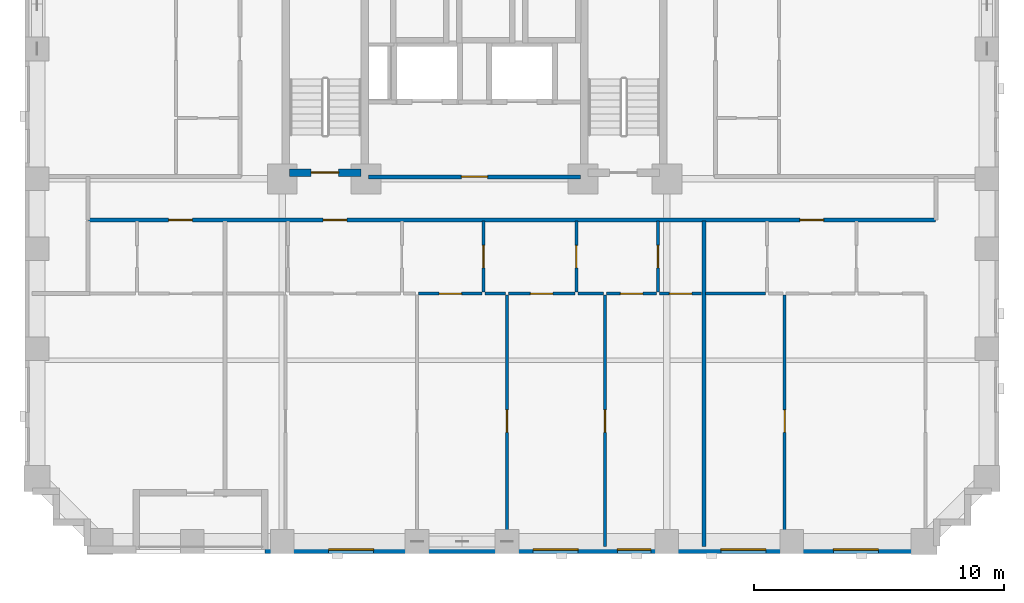
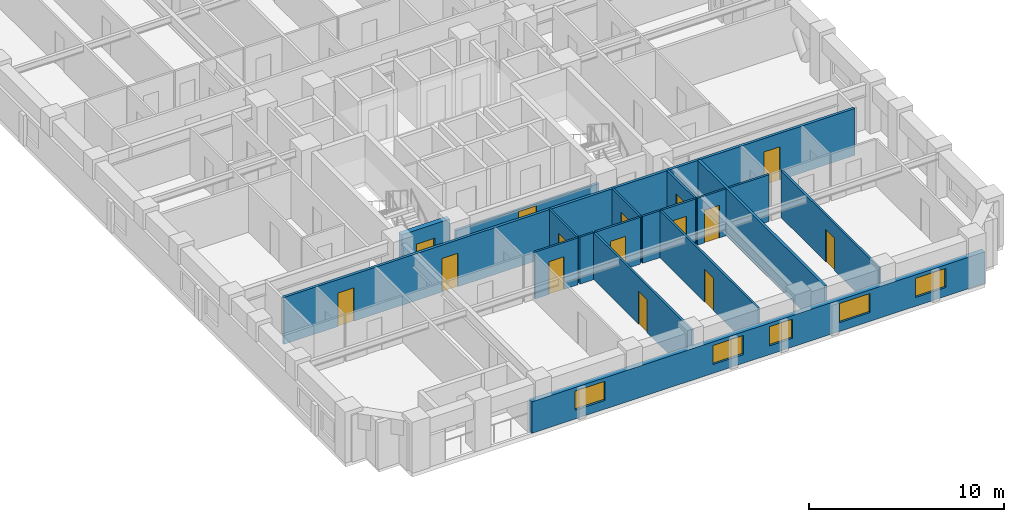
# One storey, part 3 of 13: 18 walls, 15 doors, 5 windows, 20 openings.
"""IFC4 building model written with IfcOpenShell, lengths in metres."""

from ifc_helpers import new_model, si_unit, derived_unit, direction, frame, frame_2d, origin, place, context, subcontext, project, spatial, rectangle, extrude, material, layer, layer_set, type_object, element, fill, save


model = new_model("IFC4")

# Units and contexts
model_context = context("Model", 3, precision=1e-05, world=origin(), true_north=direction((0.0, 1.0)))
body_context = subcontext(model_context, "Body", "Model", "MODEL_VIEW")
ifc_project = project(units=[si_unit("LENGTHUNIT", "METRE"), si_unit("AREAUNIT", "SQUARE_METRE"), si_unit("VOLUMEUNIT", "CUBIC_METRE"), si_unit("PLANEANGLEUNIT", "RADIAN"), si_unit("MASSUNIT", "GRAM", prefix="KILO"), derived_unit("THERMALTRANSMITTANCEUNIT", [(si_unit("MASSUNIT", "GRAM", prefix="KILO"), 1), (si_unit("TIMEUNIT", "SECOND"), -3), (si_unit("THERMODYNAMICTEMPERATUREUNIT", "KELVIN"), -1)])], contexts=[model_context])

# Site, building, storey
site_placement = place(None, origin())
site = spatial("IfcSite", under=ifc_project, at=site_placement, CompositionType="ELEMENT")
building_placement = place(site_placement, origin())
building = spatial("IfcBuilding", under=site, at=building_placement, Name="Korrvale Station Residences", CompositionType="ELEMENT")
storey_placement = place(building_placement, frame((0.0, 0.0, 32.199951171875)))
storey = spatial("IfcBuildingStorey", under=building, at=storey_placement, Name="L07", CompositionType="ELEMENT", Elevation=32.199951171875)

# Wall, opening, door
ifc_material_1 = material(Name="Concrete C70/85", Category="concrete")
ifc_layer_1 = layer(ifc_material_1, 0.300048828125, Name="Concrete C70/85")
ifc_layer_set_1 = layer_set([ifc_layer_1], Name="Concrete C70/85")
wall_type_1 = type_object("IfcWallType", Name="WAL-CORE-300-C70", PredefinedType="SHEAR", material=ifc_layer_set_1)
wall_1_placement = place(storey_placement, frame((18.10009765625, 15.25, 0.0), z_axis=(0.0, 0.0, 1.0), x_axis=(1.0, 0.0, 0.0)))
wall_1 = element("IfcWall", 1, at=wall_1_placement, inside=storey, type_object=wall_type_1, Name="L07 ST-1 Core Shear Wall South", PredefinedType="SHEAR", context=body_context, shape_type="SweptSolid", body=[
    extrude(rectangle(XDim=2.849853515625, YDim=0.300048828125, at=frame_2d((1.4248046875, 0.0))), origin(), (0.0, 0.0, 1.0), 2.93994140625),
])
opening_1_placement = place(wall_1_placement, frame((0.860107421875, 0.0, 0.0)))
opening_1 = element("IfcOpeningElement", 2, at=opening_1_placement, cuts=wall_1, Name="Opening SD-1100", PredefinedType="OPENING", context=body_context, shape_type="SweptSolid", body=[
    extrude(rectangle(XDim=1.10009765625, YDim=2.050048828125, at=frame_2d((0.550048828125, 1.02490234375))), frame((0.0, 0.16015625, 0.0), z_axis=(0.0, -1.0, 0.0), x_axis=(1.0, 0.0, 0.0)), (0.0, 0.0, 1.0), 0.320068359375),
])
ifc_material_2 = material(Name="Hollow-metal fire-rated stair door with closer", Category="steel")
door_type_1 = type_object("IfcDoorType", Name="DR-STAIR-1100", OperationType="NOTDEFINED", PredefinedType="DOOR", material=ifc_material_2)
door_1_placement = place(opening_1_placement, origin())
door_1 = element("IfcDoor", 3, at=door_1_placement, inside=storey, type_object=door_type_1, Name="L07 ST-1 Exit Stair Door", OperationType="SINGLE_SWING_LEFT", OverallHeight=2.050048828125, OverallWidth=1.10009765625, PredefinedType="DOOR", context=body_context, shape_type="SweptSolid", body=[
    extrude(rectangle(XDim=1.10009765625, YDim=2.050048828125, at=frame_2d((0.550048828125, 1.02490234375))), frame((0.0, 0.02490234375, 0.0), z_axis=(0.0, -1.0, 0.0), x_axis=(1.0, 0.0, 0.0)), (0.0, 0.0, 1.0), 0.050048828125),
])
fill(opening_1, door_1)

# Wall, openings, windows
ifc_material_3 = material(Name="Precast concrete C45/55", Category="concrete")
ifc_layer_2 = layer(ifc_material_3, 0.300048828125, Name="Precast concrete C45/55")
ifc_layer_set_2 = layer_set([ifc_layer_2], Name="Precast concrete C45/55")
wall_type_2 = type_object("IfcWallType", Name="WAL-EXT-PC300", PredefinedType="SOLIDWALL", material=ifc_layer_set_2)
wall_2_placement = place(storey_placement, frame((44.0, 0.14990234375, 0.0), z_axis=(0.0, 0.0, 1.0), x_axis=(-1.0, 0.0, 0.0)))
wall_2 = element("IfcWall", 4, at=wall_2_placement, inside=storey, type_object=wall_type_2, Name="L07 South Exterior Precast Wall 1", PredefinedType="SOLIDWALL", context=body_context, shape_type="SweptSolid", body=[
    extrude(rectangle(XDim=26.89990234375, YDim=0.300048828125, at=frame_2d((13.449951171875, 0.0))), origin(), (0.0, 0.0, 1.0), 1.97509765625),
])
opening_2_placement = place(wall_2_placement, frame((22.5439453125, 0.0, 0.550048828125)))
opening_2 = element("IfcOpeningElement", 5, at=opening_2_placement, cuts=wall_2, Name="Opening W-09", PredefinedType="OPENING", context=body_context, shape_type="SweptSolid", body=[
    extrude(rectangle(XDim=1.800048828125, YDim=1.199951171875, at=frame_2d((0.89990234375, 0.60009765625))), frame((0.0, 0.16015625, 0.0), z_axis=(0.0, -1.0, 0.0), x_axis=(1.0, 0.0, 0.0)), (0.0, 0.0, 1.0), 0.320068359375),
])
opening_3_placement = place(wall_2_placement, frame((14.35302734375, 0.0, 0.550048828125)))
opening_3 = element("IfcOpeningElement", 6, at=opening_3_placement, cuts=wall_2, Name="Opening W-09", PredefinedType="OPENING", context=body_context, shape_type="SweptSolid", body=[
    extrude(rectangle(XDim=1.800048828125, YDim=1.199951171875, at=frame_2d((0.89990234375, 0.60009765625))), frame((0.0, 0.16015625, 0.0), z_axis=(0.0, -1.0, 0.0), x_axis=(1.0, 0.0, 0.0)), (0.0, 0.0, 1.0), 0.320068359375),
])
opening_4_placement = place(wall_2_placement, frame((11.43505859375, 0.0, 0.550048828125)))
opening_4 = element("IfcOpeningElement", 7, at=opening_4_placement, cuts=wall_2, Name="Opening W-10", PredefinedType="OPENING", context=body_context, shape_type="SweptSolid", body=[
    extrude(rectangle(XDim=1.35009765625, YDim=1.199951171875, at=frame_2d((0.675048828125, 0.60009765625))), frame((0.0, 0.16015625, 0.0), z_axis=(0.0, -1.0, 0.0), x_axis=(1.0, 0.0, 0.0)), (0.0, 0.0, 1.0), 0.320068359375),
])
opening_5_placement = place(wall_2_placement, frame((6.839111328125, 0.0, 0.550048828125)))
opening_5 = element("IfcOpeningElement", 8, at=opening_5_placement, cuts=wall_2, Name="Opening W-09", PredefinedType="OPENING", context=body_context, shape_type="SweptSolid", body=[
    extrude(rectangle(XDim=1.800048828125, YDim=1.199951171875, at=frame_2d((0.89990234375, 0.60009765625))), frame((0.0, 0.16015625, 0.0), z_axis=(0.0, -1.0, 0.0), x_axis=(1.0, 0.0, 0.0)), (0.0, 0.0, 1.0), 0.320068359375),
])
opening_6_placement = place(wall_2_placement, frame((2.3310546875, 0.0, 0.550048828125)))
opening_6 = element("IfcOpeningElement", 9, at=opening_6_placement, cuts=wall_2, Name="Opening W-09", PredefinedType="OPENING", context=body_context, shape_type="SweptSolid", body=[
    extrude(rectangle(XDim=1.800048828125, YDim=1.199951171875, at=frame_2d((0.89990234375, 0.60009765625))), frame((0.0, 0.16015625, 0.0), z_axis=(0.0, -1.0, 0.0), x_axis=(1.0, 0.0, 0.0)), (0.0, 0.0, 1.0), 0.320068359375),
])
ifc_material_4 = material(Name="Thermally broken aluminium frame with triple low-e glazing", Category="aluminium")
window_type_1 = type_object("IfcWindowType", Name="WIN-W09", PartitioningType="DOUBLE_PANEL_VERTICAL", PredefinedType="WINDOW", material=ifc_material_4)
window_1_placement = place(opening_2_placement, origin())
window_1 = element("IfcWindow", 10, at=window_1_placement, inside=storey, type_object=window_type_1, Name="L07 Punched Window 03", OverallHeight=1.199951171875, OverallWidth=1.800048828125, PartitioningType="DOUBLE_PANEL_VERTICAL", PredefinedType="WINDOW", context=body_context, shape_type="SweptSolid", body=[
    extrude(rectangle(XDim=1.800048828125, YDim=1.199951171875, at=frame_2d((0.89990234375, 0.60009765625))), frame((0.0, 0.030029296875, 0.0), z_axis=(0.0, -1.0, 0.0), x_axis=(1.0, 0.0, 0.0)), (0.0, 0.0, 1.0), 0.06005859375),
])
fill(opening_2, window_1)
window_2_placement = place(opening_3_placement, origin())
window_2 = element("IfcWindow", 11, at=window_2_placement, inside=storey, type_object=window_type_1, Name="L07 Punched Window 04", OverallHeight=1.199951171875, OverallWidth=1.800048828125, PartitioningType="DOUBLE_PANEL_VERTICAL", PredefinedType="WINDOW", context=body_context, shape_type="SweptSolid", body=[
    extrude(rectangle(XDim=1.800048828125, YDim=1.199951171875, at=frame_2d((0.89990234375, 0.60009765625))), frame((0.0, 0.030029296875, 0.0), z_axis=(0.0, -1.0, 0.0), x_axis=(1.0, 0.0, 0.0)), (0.0, 0.0, 1.0), 0.06005859375),
])
fill(opening_3, window_2)
window_3_placement = place(opening_5_placement, origin())
window_3 = element("IfcWindow", 12, at=window_3_placement, inside=storey, type_object=window_type_1, Name="L07 Punched Window 06", OverallHeight=1.199951171875, OverallWidth=1.800048828125, PartitioningType="DOUBLE_PANEL_VERTICAL", PredefinedType="WINDOW", context=body_context, shape_type="SweptSolid", body=[
    extrude(rectangle(XDim=1.800048828125, YDim=1.199951171875, at=frame_2d((0.89990234375, 0.60009765625))), frame((0.0, 0.030029296875, 0.0), z_axis=(0.0, -1.0, 0.0), x_axis=(1.0, 0.0, 0.0)), (0.0, 0.0, 1.0), 0.06005859375),
])
fill(opening_5, window_3)
window_4_placement = place(opening_6_placement, origin())
window_4 = element("IfcWindow", 13, at=window_4_placement, inside=storey, type_object=window_type_1, Name="L07 Punched Window 07", OverallHeight=1.199951171875, OverallWidth=1.800048828125, PartitioningType="DOUBLE_PANEL_VERTICAL", PredefinedType="WINDOW", context=body_context, shape_type="SweptSolid", body=[
    extrude(rectangle(XDim=1.800048828125, YDim=1.199951171875, at=frame_2d((0.89990234375, 0.60009765625))), frame((0.0, 0.030029296875, 0.0), z_axis=(0.0, -1.0, 0.0), x_axis=(1.0, 0.0, 0.0)), (0.0, 0.0, 1.0), 0.06005859375),
])
fill(opening_6, window_4)
window_type_2 = type_object("IfcWindowType", Name="WIN-W10", PartitioningType="SINGLE_PANEL", PredefinedType="WINDOW", material=ifc_material_4)
window_5_placement = place(opening_4_placement, origin())
window_5 = element("IfcWindow", 14, at=window_5_placement, inside=storey, type_object=window_type_2, Name="L07 Punched Window 05", OverallHeight=1.199951171875, OverallWidth=1.35009765625, PartitioningType="SINGLE_PANEL", PredefinedType="WINDOW", context=body_context, shape_type="SweptSolid", body=[
    extrude(rectangle(XDim=1.35009765625, YDim=1.199951171875, at=frame_2d((0.675048828125, 0.60009765625))), frame((0.0, 0.030029296875, 0.0), z_axis=(0.0, -1.0, 0.0), x_axis=(1.0, 0.0, 0.0)), (0.0, 0.0, 1.0), 0.06005859375),
])
fill(opening_4, window_5)

# Wall, opening, door
ifc_material_5 = material(Name="Acoustic steel-stud gypsum board partition", Category="steel")
ifc_layer_3 = layer(ifc_material_5, 0.1201171875, Name="Acoustic steel-stud gypsum board partition")
ifc_layer_set_3 = layer_set([ifc_layer_3], Name="Acoustic steel-stud gypsum board partition")
wall_type_3 = type_object("IfcWallType", Name="WAL-PART-125", PredefinedType="PARTITIONING", material=ifc_layer_set_3)
wall_3_placement = place(storey_placement, frame((25.85595703125, 10.4599609375, 0.0), z_axis=(0.0, 0.0, 1.0), x_axis=(0.0, 1.0, 0.0)))
wall_3 = element("IfcWall", 15, at=wall_3_placement, inside=storey, type_object=wall_type_3, Name="L07 Suite Partition U02-V23", PredefinedType="PARTITIONING", context=body_context, shape_type="SweptSolid", body=[
    extrude(rectangle(XDim=2.85009765625, YDim=0.1201171875, at=frame_2d((1.425048828125, 0.0))), origin(), (0.0, 0.0, 1.0), 2.93994140625),
])
opening_7_placement = place(wall_3_placement, frame((0.97509765625, 0.0, 0.0)))
opening_7 = element("IfcOpeningElement", 16, at=opening_7_placement, cuts=wall_3, Name="Opening DI-900", PredefinedType="OPENING", context=body_context, shape_type="SweptSolid", body=[
    extrude(rectangle(XDim=0.89990234375, YDim=2.050048828125, at=frame_2d((0.449951171875, 1.02490234375))), frame((0.0, 0.070068359375, 0.0), z_axis=(0.0, -1.0, 0.0), x_axis=(1.0, 0.0, 0.0)), (0.0, 0.0, 1.0), 0.14013671875),
])
ifc_material_6 = material(Name="Painted solid-core timber interior room door", Category="wood")
door_type_2 = type_object("IfcDoorType", Name="DR-INT-900", OperationType="NOTDEFINED", PredefinedType="DOOR", material=ifc_material_6)
door_2_placement = place(opening_7_placement, origin())
door_2 = element("IfcDoor", 17, at=door_2_placement, inside=storey, type_object=door_type_2, Name="L07 Apartment 2BR L07-U02 Utility and Laundry Room Door", OperationType="SINGLE_SWING_LEFT", OverallHeight=2.050048828125, OverallWidth=0.89990234375, PredefinedType="DOOR", context=body_context, shape_type="SweptSolid", body=[
    extrude(rectangle(XDim=0.89990234375, YDim=2.050048828125, at=frame_2d((0.449951171875, 1.02490234375))), frame((0.0, 0.02490234375, 0.0), z_axis=(0.0, -1.0, 0.0), x_axis=(1.0, 0.0, 0.0)), (0.0, 0.0, 1.0), 0.050048828125),
])
fill(opening_7, door_2)

wall_4_placement = place(storey_placement, frame((23.260009765625, 10.39990234375, 0.0), z_axis=(0.0, 0.0, 1.0), x_axis=(1.0, 0.0, 0.0)))
wall_4 = element("IfcWall", 18, at=wall_4_placement, inside=storey, type_object=wall_type_3, Name="L07 Suite Partition U02-H28", PredefinedType="PARTITIONING", context=body_context, shape_type="SweptSolid", body=[
    extrude(rectangle(XDim=2.535888671875, YDim=0.1201171875, at=frame_2d((1.26806640625, 0.0))), origin(), (0.0, 0.0, 1.0), 2.93994140625),
])
opening_8_placement = place(wall_4_placement, frame((0.818115234375, 0.0, 0.0)))
opening_8 = element("IfcOpeningElement", 19, at=opening_8_placement, cuts=wall_4, Name="Opening DI-900", PredefinedType="OPENING", context=body_context, shape_type="SweptSolid", body=[
    extrude(rectangle(XDim=0.89990234375, YDim=2.050048828125, at=frame_2d((0.449951171875, 1.02490234375))), frame((0.0, 0.070068359375, 0.0), z_axis=(0.0, -1.0, 0.0), x_axis=(1.0, 0.0, 0.0)), (0.0, 0.0, 1.0), 0.14013671875),
])
door_3_placement = place(opening_8_placement, origin())
door_3 = element("IfcDoor", 20, at=door_3_placement, inside=storey, type_object=door_type_2, Name="L07 Apartment 2BR L07-U02 Utility and Laundry Room Door", OperationType="SINGLE_SWING_RIGHT", OverallHeight=2.050048828125, OverallWidth=0.89990234375, PredefinedType="DOOR", context=body_context, shape_type="SweptSolid", body=[
    extrude(rectangle(XDim=0.89990234375, YDim=2.050048828125, at=frame_2d((0.449951171875, 1.02490234375))), frame((0.0, 0.02490234375, 0.0), z_axis=(0.0, -1.0, 0.0), x_axis=(1.0, 0.0, 0.0)), (0.0, 0.0, 1.0), 0.050048828125),
])
fill(opening_8, door_3)

wall_5_placement = place(storey_placement, frame((29.575927734375, 10.4599609375, 0.0), z_axis=(0.0, 0.0, 1.0), x_axis=(0.0, 1.0, 0.0)))
wall_5 = element("IfcWall", 21, at=wall_5_placement, inside=storey, type_object=wall_type_3, Name="L07 Suite Partition U02-V34", PredefinedType="PARTITIONING", context=body_context, shape_type="SweptSolid", body=[
    extrude(rectangle(XDim=2.85009765625, YDim=0.1201171875, at=frame_2d((1.425048828125, 0.0))), origin(), (0.0, 0.0, 1.0), 2.93994140625),
])
opening_9_placement = place(wall_5_placement, frame((0.97509765625, 0.0, 0.0)))
opening_9 = element("IfcOpeningElement", 22, at=opening_9_placement, cuts=wall_5, Name="Opening DI-900", PredefinedType="OPENING", context=body_context, shape_type="SweptSolid", body=[
    extrude(rectangle(XDim=0.89990234375, YDim=2.050048828125, at=frame_2d((0.449951171875, 1.02490234375))), frame((0.0, 0.070068359375, 0.0), z_axis=(0.0, -1.0, 0.0), x_axis=(1.0, 0.0, 0.0)), (0.0, 0.0, 1.0), 0.14013671875),
])
door_4_placement = place(opening_9_placement, origin())
door_4 = element("IfcDoor", 23, at=door_4_placement, inside=storey, type_object=door_type_2, Name="L07 Apartment 2BR L07-U02 Storage Closet 2 Door", OperationType="SINGLE_SWING_LEFT", OverallHeight=2.050048828125, OverallWidth=0.89990234375, PredefinedType="DOOR", context=body_context, shape_type="SweptSolid", body=[
    extrude(rectangle(XDim=0.89990234375, YDim=2.050048828125, at=frame_2d((0.449951171875, 1.02490234375))), frame((0.0, 0.02490234375, 0.0), z_axis=(0.0, -1.0, 0.0), x_axis=(1.0, 0.0, 0.0)), (0.0, 0.0, 1.0), 0.050048828125),
])
fill(opening_9, door_4)

# Wall
wall_6_placement = place(storey_placement, frame((25.916015625, 10.39990234375, 0.0), z_axis=(0.0, 0.0, 1.0), x_axis=(1.0, 0.0, 0.0)))
element("IfcWall", 24, at=wall_6_placement, inside=storey, type_object=wall_type_3, Name="L07 Suite Partition U02-H38", PredefinedType="PARTITIONING", context=body_context, shape_type="SweptSolid", body=[
    extrude(rectangle(XDim=0.823974609375, YDim=0.1201171875, at=frame_2d((0.412109375, 0.0))), origin(), (0.0, 0.0, 1.0), 2.93994140625),
])

# Wall, opening, door
wall_7_placement = place(storey_placement, frame((26.860107421875, 10.39990234375, 0.0), z_axis=(0.0, 0.0, 1.0), x_axis=(1.0, 0.0, 0.0)))
wall_7 = element("IfcWall", 25, at=wall_7_placement, inside=storey, type_object=wall_type_3, Name="L07 Suite Partition U02-H39", PredefinedType="PARTITIONING", context=body_context, shape_type="SweptSolid", body=[
    extrude(rectangle(XDim=2.656005859375, YDim=0.1201171875, at=frame_2d((1.328125, 0.0))), origin(), (0.0, 0.0, 1.0), 2.93994140625),
])
opening_10_placement = place(wall_7_placement, frame((0.8779296875, 0.0, 0.0)))
opening_10 = element("IfcOpeningElement", 26, at=opening_10_placement, cuts=wall_7, Name="Opening DI-900", PredefinedType="OPENING", context=body_context, shape_type="SweptSolid", body=[
    extrude(rectangle(XDim=0.89990234375, YDim=2.050048828125, at=frame_2d((0.449951171875, 1.02490234375))), frame((0.0, 0.070068359375, 0.0), z_axis=(0.0, -1.0, 0.0), x_axis=(1.0, 0.0, 0.0)), (0.0, 0.0, 1.0), 0.14013671875),
])
door_5_placement = place(opening_10_placement, origin())
door_5 = element("IfcDoor", 27, at=door_5_placement, inside=storey, type_object=door_type_2, Name="L07 Apartment 2BR L07-U02 Storage Closet 2 Door", OperationType="SINGLE_SWING_RIGHT", OverallHeight=2.050048828125, OverallWidth=0.89990234375, PredefinedType="DOOR", context=body_context, shape_type="SweptSolid", body=[
    extrude(rectangle(XDim=0.89990234375, YDim=2.050048828125, at=frame_2d((0.449951171875, 1.02490234375))), frame((0.0, 0.02490234375, 0.0), z_axis=(0.0, -1.0, 0.0), x_axis=(1.0, 0.0, 0.0)), (0.0, 0.0, 1.0), 0.050048828125),
])
fill(opening_10, door_5)

wall_8_placement = place(storey_placement, frame((32.845947265625, 10.4599609375, 0.0), z_axis=(0.0, 0.0, 1.0), x_axis=(0.0, 1.0, 0.0)))
wall_8 = element("IfcWall", 28, at=wall_8_placement, inside=storey, type_object=wall_type_3, Name="L07 Suite Partition U02-V45", PredefinedType="PARTITIONING", context=body_context, shape_type="SweptSolid", body=[
    extrude(rectangle(XDim=2.85009765625, YDim=0.1201171875, at=frame_2d((1.425048828125, 0.0))), origin(), (0.0, 0.0, 1.0), 2.93994140625),
])
opening_11_placement = place(wall_8_placement, frame((0.97509765625, 0.0, 0.0)))
opening_11 = element("IfcOpeningElement", 29, at=opening_11_placement, cuts=wall_8, Name="Opening DI-900", PredefinedType="OPENING", context=body_context, shape_type="SweptSolid", body=[
    extrude(rectangle(XDim=0.89990234375, YDim=2.050048828125, at=frame_2d((0.449951171875, 1.02490234375))), frame((0.0, 0.070068359375, 0.0), z_axis=(0.0, -1.0, 0.0), x_axis=(1.0, 0.0, 0.0)), (0.0, 0.0, 1.0), 0.14013671875),
])
door_6_placement = place(opening_11_placement, origin())
door_6 = element("IfcDoor", 30, at=door_6_placement, inside=storey, type_object=door_type_2, Name="L07 Apartment 2BR L07-U02 Storage Closet 3 Door", OperationType="SINGLE_SWING_LEFT", OverallHeight=2.050048828125, OverallWidth=0.89990234375, PredefinedType="DOOR", context=body_context, shape_type="SweptSolid", body=[
    extrude(rectangle(XDim=0.89990234375, YDim=2.050048828125, at=frame_2d((0.449951171875, 1.02490234375))), frame((0.0, 0.02490234375, 0.0), z_axis=(0.0, -1.0, 0.0), x_axis=(1.0, 0.0, 0.0)), (0.0, 0.0, 1.0), 0.050048828125),
])
fill(opening_11, door_6)

# Wall
wall_9_placement = place(storey_placement, frame((29.635986328125, 10.39990234375, 0.0), z_axis=(0.0, 0.0, 1.0), x_axis=(1.0, 0.0, 0.0)))
element("IfcWall", 31, at=wall_9_placement, inside=storey, type_object=wall_type_3, Name="L07 Suite Partition U02-H49", PredefinedType="PARTITIONING", context=body_context, shape_type="SweptSolid", body=[
    extrude(rectangle(XDim=1.031982421875, YDim=0.1201171875, at=frame_2d((0.51611328125, 0.0))), origin(), (0.0, 0.0, 1.0), 2.93994140625),
])

# Wall, opening, door
wall_10_placement = place(storey_placement, frame((30.7880859375, 10.39990234375, 0.0), z_axis=(0.0, 0.0, 1.0), x_axis=(1.0, 0.0, 0.0)))
wall_10 = element("IfcWall", 32, at=wall_10_placement, inside=storey, type_object=wall_type_3, Name="L07 Suite Partition U02-H410", PredefinedType="PARTITIONING", context=body_context, shape_type="SweptSolid", body=[
    extrude(rectangle(XDim=1.997802734375, YDim=0.1201171875, at=frame_2d((0.9990234375, 0.0))), origin(), (0.0, 0.0, 1.0), 2.93994140625),
])
opening_12_placement = place(wall_10_placement, frame((0.549072265625, 0.0, 0.0)))
opening_12 = element("IfcOpeningElement", 33, at=opening_12_placement, cuts=wall_10, Name="Opening DI-900", PredefinedType="OPENING", context=body_context, shape_type="SweptSolid", body=[
    extrude(rectangle(XDim=0.89990234375, YDim=2.050048828125, at=frame_2d((0.449951171875, 1.02490234375))), frame((0.0, 0.070068359375, 0.0), z_axis=(0.0, -1.0, 0.0), x_axis=(1.0, 0.0, 0.0)), (0.0, 0.0, 1.0), 0.14013671875),
])
door_7_placement = place(opening_12_placement, origin())
door_7 = element("IfcDoor", 34, at=door_7_placement, inside=storey, type_object=door_type_2, Name="L07 Apartment 2BR L07-U02 Storage Closet 3 Door", OperationType="SINGLE_SWING_RIGHT", OverallHeight=2.050048828125, OverallWidth=0.89990234375, PredefinedType="DOOR", context=body_context, shape_type="SweptSolid", body=[
    extrude(rectangle(XDim=0.89990234375, YDim=2.050048828125, at=frame_2d((0.449951171875, 1.02490234375))), frame((0.0, 0.02490234375, 0.0), z_axis=(0.0, -1.0, 0.0), x_axis=(1.0, 0.0, 0.0)), (0.0, 0.0, 1.0), 0.050048828125),
])
fill(opening_12, door_7)

wall_11_placement = place(storey_placement, frame((32.906005859375, 10.39990234375, 0.0), z_axis=(0.0, 0.0, 1.0), x_axis=(1.0, 0.0, 0.0)))
wall_11 = element("IfcWall", 35, at=wall_11_placement, inside=storey, type_object=wall_type_3, Name="L07 Suite Partition U02-H510", PredefinedType="PARTITIONING", context=body_context, shape_type="SweptSolid", body=[
    extrude(rectangle(XDim=1.68994140625, YDim=0.1201171875, at=frame_2d((0.844970703125, 0.0))), origin(), (0.0, 0.0, 1.0), 2.93994140625),
])
opening_13_placement = place(wall_11_placement, frame((0.39501953125, 0.0, 0.0)))
opening_13 = element("IfcOpeningElement", 36, at=opening_13_placement, cuts=wall_11, Name="Opening DI-900", PredefinedType="OPENING", context=body_context, shape_type="SweptSolid", body=[
    extrude(rectangle(XDim=0.89990234375, YDim=2.050048828125, at=frame_2d((0.449951171875, 1.02490234375))), frame((0.0, 0.070068359375, 0.0), z_axis=(0.0, -1.0, 0.0), x_axis=(1.0, 0.0, 0.0)), (0.0, 0.0, 1.0), 0.14013671875),
])
door_8_placement = place(opening_13_placement, origin())
door_8 = element("IfcDoor", 37, at=door_8_placement, inside=storey, type_object=door_type_2, Name="L07 Apartment 2BR L07-U02 Storage Closet 4 Door", OperationType="SINGLE_SWING_LEFT", OverallHeight=2.050048828125, OverallWidth=0.89990234375, PredefinedType="DOOR", context=body_context, shape_type="SweptSolid", body=[
    extrude(rectangle(XDim=0.89990234375, YDim=2.050048828125, at=frame_2d((0.449951171875, 1.02490234375))), frame((0.0, 0.02490234375, 0.0), z_axis=(0.0, -1.0, 0.0), x_axis=(1.0, 0.0, 0.0)), (0.0, 0.0, 1.0), 0.050048828125),
])
fill(opening_13, door_8)

wall_12_placement = place(storey_placement, frame((26.800048828125, 0.280029296875, 0.0), z_axis=(0.0, 0.0, 1.0), x_axis=(0.0, 1.0, 0.0)))
wall_12 = element("IfcWall", 38, at=wall_12_placement, inside=storey, type_object=wall_type_3, Name="L07 Suite Partition U02-V89", PredefinedType="PARTITIONING", context=body_context, shape_type="SweptSolid", body=[
    extrude(rectangle(XDim=10.06005859375, YDim=0.1201171875, at=frame_2d((5.030029296875, 0.0))), origin(), (0.0, 0.0, 1.0), 2.93994140625),
])
opening_14_placement = place(wall_12_placement, frame((4.56494140625, 0.0, 0.0)))
opening_14 = element("IfcOpeningElement", 39, at=opening_14_placement, cuts=wall_12, Name="Opening DI-900", PredefinedType="OPENING", context=body_context, shape_type="SweptSolid", body=[
    extrude(rectangle(XDim=0.89990234375, YDim=2.050048828125, at=frame_2d((0.449951171875, 1.02490234375))), frame((0.0, 0.070068359375, 0.0), z_axis=(0.0, -1.0, 0.0), x_axis=(1.0, 0.0, 0.0)), (0.0, 0.0, 1.0), 0.14013671875),
])
door_9_placement = place(opening_14_placement, origin())
door_9 = element("IfcDoor", 40, at=door_9_placement, inside=storey, type_object=door_type_2, Name="L07 Apartment 2BR L07-U02 Wardrobe Storage Room Door", OperationType="SINGLE_SWING_RIGHT", OverallHeight=2.050048828125, OverallWidth=0.89990234375, PredefinedType="DOOR", context=body_context, shape_type="SweptSolid", body=[
    extrude(rectangle(XDim=0.89990234375, YDim=2.050048828125, at=frame_2d((0.449951171875, 1.02490234375))), frame((0.0, 0.02490234375, 0.0), z_axis=(0.0, -1.0, 0.0), x_axis=(1.0, 0.0, 0.0)), (0.0, 0.0, 1.0), 0.050048828125),
])
fill(opening_14, door_9)

wall_13_placement = place(storey_placement, frame((30.72802734375, 0.280029296875, 0.0), z_axis=(0.0, 0.0, 1.0), x_axis=(0.0, 1.0, 0.0)))
wall_13 = element("IfcWall", 41, at=wall_13_placement, inside=storey, type_object=wall_type_3, Name="L07 Suite Partition U02-V910", PredefinedType="PARTITIONING", context=body_context, shape_type="SweptSolid", body=[
    extrude(rectangle(XDim=10.06005859375, YDim=0.1201171875, at=frame_2d((5.030029296875, 0.0))), origin(), (0.0, 0.0, 1.0), 2.93994140625),
])
opening_15_placement = place(wall_13_placement, frame((4.56494140625, 0.0, 0.0)))
opening_15 = element("IfcOpeningElement", 42, at=opening_15_placement, cuts=wall_13, Name="Opening DI-900", PredefinedType="OPENING", context=body_context, shape_type="SweptSolid", body=[
    extrude(rectangle(XDim=0.89990234375, YDim=2.050048828125, at=frame_2d((0.449951171875, 1.02490234375))), frame((0.0, 0.070068359375, 0.0), z_axis=(0.0, -1.0, 0.0), x_axis=(1.0, 0.0, 0.0)), (0.0, 0.0, 1.0), 0.14013671875),
])
door_10_placement = place(opening_15_placement, origin())
door_10 = element("IfcDoor", 43, at=door_10_placement, inside=storey, type_object=door_type_2, Name="L07 Apartment 2BR L07-U02 Bedroom 1 Door", OperationType="SINGLE_SWING_LEFT", OverallHeight=2.050048828125, OverallWidth=0.89990234375, PredefinedType="DOOR", context=body_context, shape_type="SweptSolid", body=[
    extrude(rectangle(XDim=0.89990234375, YDim=2.050048828125, at=frame_2d((0.449951171875, 1.02490234375))), frame((0.0, 0.02490234375, 0.0), z_axis=(0.0, -1.0, 0.0), x_axis=(1.0, 0.0, 0.0)), (0.0, 0.0, 1.0), 0.050048828125),
])
fill(opening_15, door_10)

# Wall
wall_14_placement = place(storey_placement, frame((34.756103515625, 10.39990234375, 0.0), z_axis=(0.0, 0.0, 1.0), x_axis=(1.0, 0.0, 0.0)))
element("IfcWall", 44, at=wall_14_placement, inside=storey, type_object=wall_type_3, Name="L07 Suite Partition U03-H03", PredefinedType="PARTITIONING", context=body_context, shape_type="SweptSolid", body=[
    extrude(rectangle(XDim=2.39990234375, YDim=0.1201171875, at=frame_2d((1.199951171875, 0.0))), origin(), (0.0, 0.0, 1.0), 2.93994140625),
])

# Wall, opening, door
wall_15_placement = place(storey_placement, frame((37.916015625, 0.280029296875, 0.0), z_axis=(0.0, 0.0, 1.0), x_axis=(0.0, 1.0, 0.0)))
wall_15 = element("IfcWall", 45, at=wall_15_placement, inside=storey, type_object=wall_type_3, Name="L07 Suite Partition U03-V34", PredefinedType="PARTITIONING", context=body_context, shape_type="SweptSolid", body=[
    extrude(rectangle(XDim=10.06005859375, YDim=0.1201171875, at=frame_2d((5.030029296875, 0.0))), origin(), (0.0, 0.0, 1.0), 2.93994140625),
])
opening_16_placement = place(wall_15_placement, frame((4.56494140625, 0.0, 0.0)))
opening_16 = element("IfcOpeningElement", 46, at=opening_16_placement, cuts=wall_15, Name="Opening DI-900", PredefinedType="OPENING", context=body_context, shape_type="SweptSolid", body=[
    extrude(rectangle(XDim=0.89990234375, YDim=2.050048828125, at=frame_2d((0.449951171875, 1.02490234375))), frame((0.0, 0.070068359375, 0.0), z_axis=(0.0, -1.0, 0.0), x_axis=(1.0, 0.0, 0.0)), (0.0, 0.0, 1.0), 0.14013671875),
])
door_11_placement = place(opening_16_placement, origin())
door_11 = element("IfcDoor", 47, at=door_11_placement, inside=storey, type_object=door_type_2, Name="L07 Studio Apartment L07-U03 Formal Dining Room Door", OperationType="SINGLE_SWING_RIGHT", OverallHeight=2.050048828125, OverallWidth=0.89990234375, PredefinedType="DOOR", context=body_context, shape_type="SweptSolid", body=[
    extrude(rectangle(XDim=0.89990234375, YDim=2.050048828125, at=frame_2d((0.449951171875, 1.02490234375))), frame((0.0, 0.02490234375, 0.0), z_axis=(0.0, -1.0, 0.0), x_axis=(1.0, 0.0, 0.0)), (0.0, 0.0, 1.0), 0.050048828125),
])
fill(opening_16, door_11)

ifc_material_7 = material(Name="Fire-rated twin-stud gypsum and mineral wool shaftwall assembly", Category="gypsum")
ifc_layer_4 = layer(ifc_material_7, 0.159912109375, Name="Fire-rated twin-stud gypsum and mineral wool shaftwall assembly")
ifc_layer_set_4 = layer_set([ifc_layer_4], Name="Fire-rated twin-stud gypsum and mineral wool shaftwall assembly")
wall_type_4 = type_object("IfcWallType", Name="WAL-PART-200", PredefinedType="PARTITIONING", material=ifc_layer_set_4)
wall_16_placement = place(storey_placement, frame((21.25, 15.080078125, 0.0), z_axis=(0.0, 0.0, 1.0), x_axis=(1.0, 0.0, 0.0)))
wall_16 = element("IfcWall", 48, at=wall_16_placement, inside=storey, type_object=wall_type_4, Name="L07 Core Partition CW-FFL-S", PredefinedType="PARTITIONING", context=body_context, shape_type="SweptSolid", body=[
    extrude(rectangle(XDim=8.5, YDim=0.159912109375, at=frame_2d((4.25, 0.0))), origin(), (0.0, 0.0, 1.0), 2.155029296875),
])
opening_17_placement = place(wall_16_placement, frame((3.72509765625, 0.0, 0.0)))
opening_17 = element("IfcOpeningElement", 49, at=opening_17_placement, cuts=wall_16, Name="Opening FD-1050", PredefinedType="OPENING", context=body_context, shape_type="SweptSolid", body=[
    extrude(rectangle(XDim=1.050048828125, YDim=2.050048828125, at=frame_2d((0.52490234375, 1.02490234375))), frame((0.0, 0.08984375, 0.0), z_axis=(0.0, -1.0, 0.0), x_axis=(1.0, 0.0, 0.0)), (0.0, 0.0, 1.0), 0.179931640625),
])
ifc_material_8 = material(Name="Fire-rated mineral-core timber lobby door", Category="wood")
door_type_3 = type_object("IfcDoorType", Name="DR-CORE-1050", OperationType="NOTDEFINED", PredefinedType="DOOR", material=ifc_material_8)
door_12_placement = place(opening_17_placement, origin())
door_12 = element("IfcDoor", 50, at=door_12_placement, inside=storey, type_object=door_type_3, Name="L07 Firefighting Lobby Entry Door", OperationType="SINGLE_SWING_LEFT", OverallHeight=2.050048828125, OverallWidth=1.050048828125, PredefinedType="DOOR", context=body_context, shape_type="SweptSolid", body=[
    extrude(rectangle(XDim=1.050048828125, YDim=2.050048828125, at=frame_2d((0.52490234375, 1.02490234375))), frame((0.0, 0.02490234375, 0.0), z_axis=(0.0, -1.0, 0.0), x_axis=(1.0, 0.0, 0.0)), (0.0, 0.0, 1.0), 0.050048828125),
])
fill(opening_17, door_12)

# Wall
wall_17_placement = place(storey_placement, frame((34.696044921875, 0.280029296875, 0.0), z_axis=(0.0, 0.0, 1.0), x_axis=(0.0, 1.0, 0.0)))
element("IfcWall", 51, at=wall_17_placement, inside=storey, type_object=wall_type_4, Name="L07 Demising Wall U03-W", PredefinedType="PARTITIONING", context=body_context, shape_type="SweptSolid", body=[
    extrude(rectangle(XDim=13.030029296875, YDim=0.159912109375, at=frame_2d((6.51513671875, 0.0))), origin(), (0.0, 0.0, 1.0), 2.93994140625),
])

# Wall, openings, doors
wall_18_placement = place(storey_placement, frame((10.050048828125, 13.35009765625, 0.0), z_axis=(0.0, 0.0, 1.0), x_axis=(1.0, 0.0, 0.0)))
wall_18 = element("IfcWall", 52, at=wall_18_placement, inside=storey, type_object=wall_type_4, Name="L07 Rated Corridor Wall S", PredefinedType="PARTITIONING", context=body_context, shape_type="SweptSolid", body=[
    extrude(rectangle(XDim=33.89990234375, YDim=0.159912109375, at=frame_2d((16.949951171875, 0.0))), origin(), (0.0, 0.0, 1.0), 2.93994140625),
])
opening_18_placement = place(wall_18_placement, frame((3.202880859375, 0.0, 0.0)))
opening_18 = element("IfcOpeningElement", 53, at=opening_18_placement, cuts=wall_18, Name="Opening UD-950", PredefinedType="OPENING", context=body_context, shape_type="SweptSolid", body=[
    extrude(rectangle(XDim=0.949951171875, YDim=2.10009765625, at=frame_2d((0.47509765625, 1.050048828125))), frame((0.0, 0.08984375, 0.0), z_axis=(0.0, -1.0, 0.0), x_axis=(1.0, 0.0, 0.0)), (0.0, 0.0, 1.0), 0.179931640625),
])
opening_19_placement = place(wall_18_placement, frame((9.389892578125, 0.0, 0.0)))
opening_19 = element("IfcOpeningElement", 54, at=opening_19_placement, cuts=wall_18, Name="Opening UD-950", PredefinedType="OPENING", context=body_context, shape_type="SweptSolid", body=[
    extrude(rectangle(XDim=0.949951171875, YDim=2.10009765625, at=frame_2d((0.47509765625, 1.050048828125))), frame((0.0, 0.08984375, 0.0), z_axis=(0.0, -1.0, 0.0), x_axis=(1.0, 0.0, 0.0)), (0.0, 0.0, 1.0), 0.179931640625),
])
opening_20_placement = place(wall_18_placement, frame((28.47607421875, 0.0, 0.0)))
opening_20 = element("IfcOpeningElement", 55, at=opening_20_placement, cuts=wall_18, Name="Opening UD-950", PredefinedType="OPENING", context=body_context, shape_type="SweptSolid", body=[
    extrude(rectangle(XDim=0.949951171875, YDim=2.10009765625, at=frame_2d((0.47509765625, 1.050048828125))), frame((0.0, 0.08984375, 0.0), z_axis=(0.0, -1.0, 0.0), x_axis=(1.0, 0.0, 0.0)), (0.0, 0.0, 1.0), 0.179931640625),
])
ifc_material_9 = material(Name="Solid-core acoustic oak apartment entrance door", Category="timber")
door_type_4 = type_object("IfcDoorType", Name="DR-UNIT-950", OperationType="NOTDEFINED", PredefinedType="DOOR", material=ifc_material_9)
door_13_placement = place(opening_18_placement, origin())
door_13 = element("IfcDoor", 56, at=door_13_placement, inside=storey, type_object=door_type_4, Name="L07 Apartment L07-U01 Entrance Door", OperationType="SINGLE_SWING_RIGHT", OverallHeight=2.10009765625, OverallWidth=0.949951171875, PredefinedType="DOOR", context=body_context, shape_type="SweptSolid", body=[
    extrude(rectangle(XDim=0.949951171875, YDim=2.10009765625, at=frame_2d((0.47509765625, 1.050048828125))), frame((0.0, 0.02490234375, 0.0), z_axis=(0.0, -1.0, 0.0), x_axis=(1.0, 0.0, 0.0)), (0.0, 0.0, 1.0), 0.050048828125),
])
fill(opening_18, door_13)
door_14_placement = place(opening_19_placement, origin())
door_14 = element("IfcDoor", 57, at=door_14_placement, inside=storey, type_object=door_type_4, Name="L07 Apartment L07-U02 Entrance Door", OperationType="SINGLE_SWING_LEFT", OverallHeight=2.10009765625, OverallWidth=0.949951171875, PredefinedType="DOOR", context=body_context, shape_type="SweptSolid", body=[
    extrude(rectangle(XDim=0.949951171875, YDim=2.10009765625, at=frame_2d((0.47509765625, 1.050048828125))), frame((0.0, 0.02490234375, 0.0), z_axis=(0.0, -1.0, 0.0), x_axis=(1.0, 0.0, 0.0)), (0.0, 0.0, 1.0), 0.050048828125),
])
fill(opening_19, door_14)
door_15_placement = place(opening_20_placement, origin())
door_15 = element("IfcDoor", 58, at=door_15_placement, inside=storey, type_object=door_type_4, Name="L07 Apartment L07-U03 Entrance Door", OperationType="SINGLE_SWING_RIGHT", OverallHeight=2.10009765625, OverallWidth=0.949951171875, PredefinedType="DOOR", context=body_context, shape_type="SweptSolid", body=[
    extrude(rectangle(XDim=0.949951171875, YDim=2.10009765625, at=frame_2d((0.47509765625, 1.050048828125))), frame((0.0, 0.02490234375, 0.0), z_axis=(0.0, -1.0, 0.0), x_axis=(1.0, 0.0, 0.0)), (0.0, 0.0, 1.0), 0.050048828125),
])
fill(opening_20, door_15)

save(model, "model.ifc")
